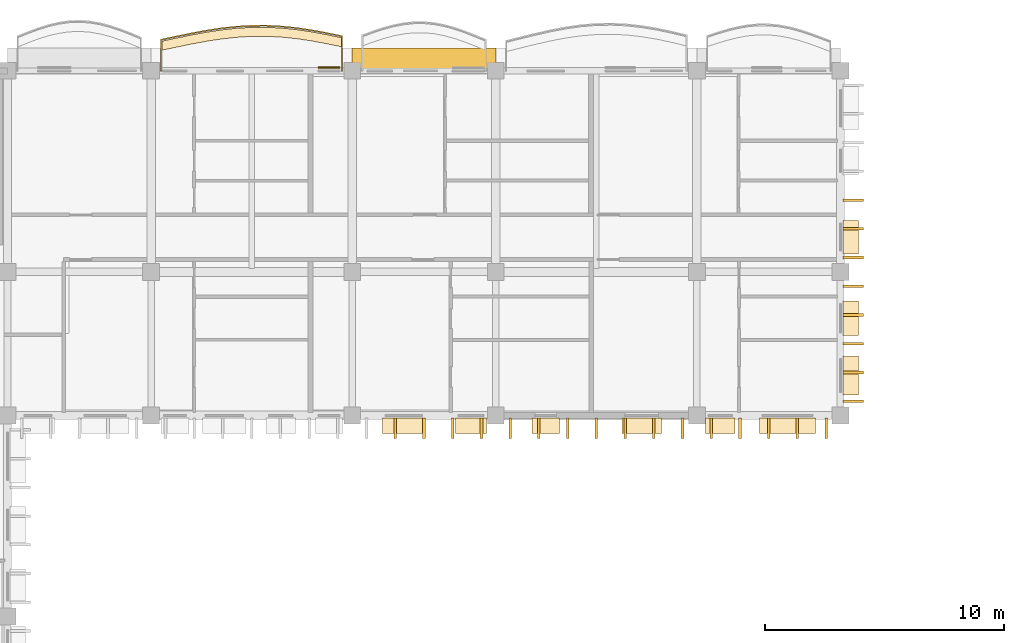
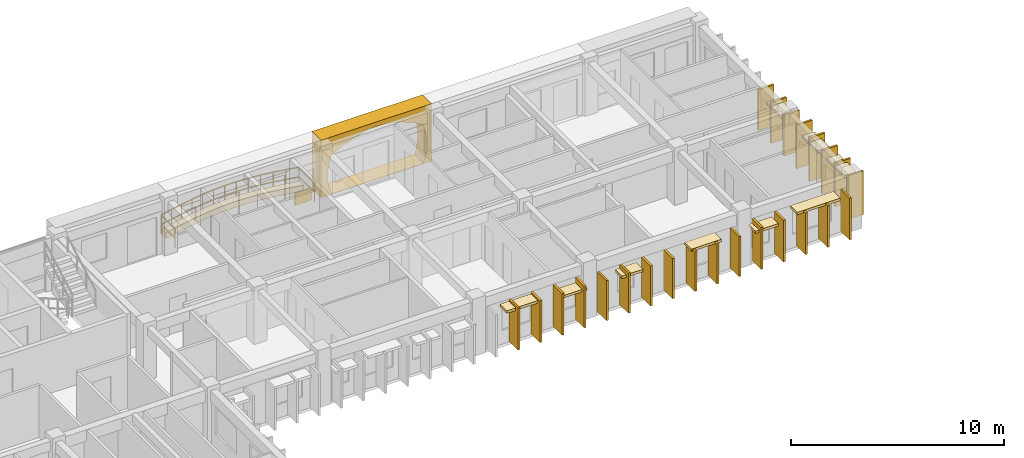
# One storey, part 82 of 101: 36 coverings, 1 railing.
"""IFC4 building model written with IfcOpenShell, lengths in metres."""

from ifc_helpers import new_model, si_unit, direction, frame, origin, origin_2d, place, context, subcontext, project, spatial, polyline, rectangle, outline, extrude, material, layer, layer_set, type_object, element, save


model = new_model("IFC4")

# Units and contexts
model_context = context("Model", 3, precision=1e-05, world=origin(), true_north=direction((0.0, 1.0)))
body_context = subcontext(model_context, "Body", "Model", "MODEL_VIEW")
ifc_project = project(units=[si_unit("LENGTHUNIT", "METRE"), si_unit("AREAUNIT", "SQUARE_METRE"), si_unit("VOLUMEUNIT", "CUBIC_METRE"), si_unit("PLANEANGLEUNIT", "RADIAN"), si_unit("MASSUNIT", "GRAM", prefix="KILO"), si_unit("THERMODYNAMICTEMPERATUREUNIT", "KELVIN")], contexts=[model_context])

# Site, building, storey
site_placement = place(None, origin())
site = spatial("IfcSite", under=ifc_project, at=site_placement, CompositionType="ELEMENT")
building_placement = place(site_placement, origin())
building = spatial("IfcBuilding", under=site, at=building_placement, Name="Thalorik Housing Commons", CompositionType="ELEMENT")
storey_placement = place(building_placement, frame((0.0, 0.0, 8.10009765625)))
storey = spatial("IfcBuildingStorey", under=building, at=storey_placement, Name="L02", CompositionType="ELEMENT", Elevation=8.10009765625)

# Coverings
ifc_material_1 = material(Name="Cobalt blue glazed ceramic facade tile panel", Category="masonry")
ifc_layer_1 = layer(ifc_material_1, 0.06005859375, Name="Cobalt blue glazed ceramic facade tile panel", Category="masonry")
ifc_layer_set_1 = layer_set([ifc_layer_1], Name="Cobalt blue glazed ceramic facade tile panel")
covering_type_1 = type_object("IfcCoveringType", Name="ARC-CLD-BLU-60", PredefinedType="CLADDING", material=ifc_layer_set_1)
covering_1_placement = place(storey_placement, frame((36.235107421875, 123.742431640625, 0.0498046875), z_axis=(0.0, 0.0, 1.0), x_axis=(-1.0, 0.0, 0.0)))
element("IfcCovering", 1, at=covering_1_placement, inside=storey, type_object=covering_type_1, Name="L02 De Stijl Recessed Window Spandrel 189", PredefinedType="CLADDING", context=body_context, shape_type="SweptSolid", body=[
    extrude(rectangle(XDim=0.89990234375, YDim=0.06005859375, at=origin_2d()), origin(), (0.0, 0.0, 1.0), 0.699951171875),
])
ifc_material_2 = material(Name="Precast concrete C40/50", Category="concrete")
ifc_layer_2 = layer(ifc_material_2, 0.85009765625, Name="Precast concrete C40/50", Category="concrete")
ifc_layer_set_2 = layer_set([ifc_layer_2], Name="Precast concrete C40/50")
covering_type_2 = type_object("IfcCoveringType", Name="ARC-CLD-CUSH-850", PredefinedType="CLADDING", material=ifc_layer_set_2)
covering_2_placement = place(storey_placement, frame((40.199951171875, 124.132568359375, 0.0), z_axis=(0.0, 0.0, 1.0), x_axis=(-1.0, 0.0, 0.0)))
element("IfcCovering", 2, at=covering_2_placement, inside=storey, type_object=covering_type_2, Name="L02 White Precast Curved Cushion Bay Frame 186", PredefinedType="CLADDING", context=body_context, shape_type="SweptSolid", body=[
    extrude(outline(polyline([(-3.0, 0.0), (3.0, 0.0), (3.0, 3.300048828125), (-3.0, 3.300048828125), (-3.0, 0.0)]), holes=[polyline([(2.42724609375, 0.02490234375), (2.548095703125, 0.394287109375), (2.62060546875, 0.76318359375), (2.64501953125, 1.132568359375), (2.62060546875, 1.501708984375), (2.548095703125, 1.870849609375), (2.42724609375, 2.239990234375), (2.01171875, 2.4833984375), (1.596435546875, 2.6748046875), (1.180908203125, 2.82958984375), (0.765380859375, 2.94482421875), (0.35009765625, 3.01611328125), (-0.065185546875, 3.0400390625), (-0.480712890625, 3.01611328125), (-0.89599609375, 2.94482421875), (-1.3115234375, 2.82958984375), (-1.72705078125, 2.6748046875), (-2.142333984375, 2.4833984375), (-2.557861328125, 2.239990234375), (-2.651123046875, 1.870849609375), (-2.707275390625, 1.501708984375), (-2.725830078125, 1.132568359375), (-2.707275390625, 0.76318359375), (-2.651123046875, 0.394287109375), (-2.557861328125, 0.02490234375), (2.42724609375, 0.02490234375)])]), frame((0.0, 0.425048828125, 0.0), z_axis=(0.0, -1.0, 0.0), x_axis=(1.0, 0.0, 0.0)), (0.0, 0.0, 1.0), 0.85009765625),
])
ifc_layer_3 = layer(ifc_material_2, 0.85009765625, Name="Precast concrete C40/50", Category="concrete")
ifc_layer_set_3 = layer_set([ifc_layer_3], Name="Precast concrete C40/50")
covering_type_3 = type_object("IfcCoveringType", Name="ARC-CLD-FIN-850", PredefinedType="CLADDING", material=ifc_layer_set_3)
for number, where, z_axis, x_axis, name in (
    (3, (39.0, 108.66748046875, 0.039794921875), (0.0, 0.0, 1.0), (1.0, 0.0, 0.0), "L02 Courtyard Precast Vertical Brise-Soleil Fin 143"),
    (4, (40.199951171875, 108.66748046875, 0.039794921875), (0.0, 0.0, 1.0), (1.0, 0.0, 0.0), "L02 Courtyard Precast Vertical Brise-Soleil Fin 144"),
    (5, (41.39990234375, 108.66748046875, 0.039794921875), (0.0, 0.0, 1.0), (1.0, 0.0, 0.0), "L02 Courtyard Precast Vertical Brise-Soleil Fin 145"),
    (6, (42.60009765625, 108.66748046875, 0.039794921875), (0.0, 0.0, 1.0), (1.0, 0.0, 0.0), "L02 Courtyard Precast Vertical Brise-Soleil Fin 146"),
):
    element("IfcCovering", number, at=place(storey_placement, frame(where, z_axis=z_axis, x_axis=x_axis)), inside=storey, type_object=covering_type_3, Name=name, PredefinedType="CLADDING", context=body_context, shape_type="SweptSolid", body=[
        extrude(rectangle(XDim=0.110107421875, YDim=0.85009765625, at=origin_2d()), origin(), (0.0, 0.0, 1.0), 2.39501953125),
    ])
for number, where, z_axis, x_axis, name in (
    (7, (43.800048828125, 108.66748046875, 0.0400390625), (0.0, 0.0, 1.0), (1.0, 0.0, 0.0), "L02 Courtyard Precast Vertical Brise-Soleil Fin 149"),
    (8, (45.0, 108.66748046875, 0.0400390625), (0.0, 0.0, 1.0), (1.0, 0.0, 0.0), "L02 Courtyard Precast Vertical Brise-Soleil Fin 150"),
    (9, (46.199951171875, 108.66748046875, 0.0400390625), (0.0, 0.0, 1.0), (1.0, 0.0, 0.0), "L02 Courtyard Precast Vertical Brise-Soleil Fin 151"),
    (10, (47.39990234375, 108.66748046875, 0.0400390625), (0.0, 0.0, 1.0), (1.0, 0.0, 0.0), "L02 Courtyard Precast Vertical Brise-Soleil Fin 152"),
    (11, (48.60009765625, 108.66748046875, 0.0400390625), (0.0, 0.0, 1.0), (1.0, 0.0, 0.0), "L02 Courtyard Precast Vertical Brise-Soleil Fin 153"),
    (12, (49.800048828125, 108.66748046875, 0.0400390625), (0.0, 0.0, 1.0), (1.0, 0.0, 0.0), "L02 Courtyard Precast Vertical Brise-Soleil Fin 154"),
    (13, (51.0, 108.66748046875, 0.0400390625), (0.0, 0.0, 1.0), (1.0, 0.0, 0.0), "L02 Courtyard Precast Vertical Brise-Soleil Fin 155"),
):
    element("IfcCovering", number, at=place(storey_placement, frame(where, z_axis=z_axis, x_axis=x_axis)), inside=storey, type_object=covering_type_3, Name=name, PredefinedType="CLADDING", context=body_context, shape_type="SweptSolid", body=[
        extrude(rectangle(XDim=0.110107421875, YDim=0.85009765625, at=origin_2d()), origin(), (0.0, 0.0, 1.0), 2.294921875),
    ])
for number, where, z_axis, x_axis, name in (
    (14, (52.199951171875, 108.66748046875, 0.039794921875), (0.0, 0.0, 1.0), (1.0, 0.0, 0.0), "L02 Courtyard Precast Vertical Brise-Soleil Fin 158"),
    (15, (53.39990234375, 108.66748046875, 0.039794921875), (0.0, 0.0, 1.0), (1.0, 0.0, 0.0), "L02 Courtyard Precast Vertical Brise-Soleil Fin 159"),
    (16, (54.60009765625, 108.66748046875, 0.039794921875), (0.0, 0.0, 1.0), (1.0, 0.0, 0.0), "L02 Courtyard Precast Vertical Brise-Soleil Fin 160"),
    (17, (55.800048828125, 108.66748046875, 0.039794921875), (0.0, 0.0, 1.0), (1.0, 0.0, 0.0), "L02 Courtyard Precast Vertical Brise-Soleil Fin 161"),
    (18, (57.0, 108.66748046875, 0.039794921875), (0.0, 0.0, 1.0), (1.0, 0.0, 0.0), "L02 Courtyard Precast Vertical Brise-Soleil Fin 162"),
):
    element("IfcCovering", number, at=place(storey_placement, frame(where, z_axis=z_axis, x_axis=x_axis)), inside=storey, type_object=covering_type_3, Name=name, PredefinedType="CLADDING", context=body_context, shape_type="SweptSolid", body=[
        extrude(rectangle(XDim=0.110107421875, YDim=0.85009765625, at=origin_2d()), origin(), (0.0, 0.0, 1.0), 2.39501953125),
    ])
for number, where, z_axis, x_axis, name in (
    (19, (58.132568359375, 109.800048828125, 0.039794921875), (0.0, 0.0, 1.0), (0.0, 1.0, 0.0), "L02 Courtyard Precast Vertical Brise-Soleil Fin 165"),
    (20, (58.132568359375, 111.0, 0.039794921875), (0.0, 0.0, 1.0), (0.0, 1.0, 0.0), "L02 Courtyard Precast Vertical Brise-Soleil Fin 166"),
    (21, (58.132568359375, 112.199951171875, 0.039794921875), (0.0, 0.0, 1.0), (0.0, 1.0, 0.0), "L02 Courtyard Precast Vertical Brise-Soleil Fin 167"),
    (22, (58.132568359375, 113.39990234375, 0.039794921875), (0.0, 0.0, 1.0), (0.0, 1.0, 0.0), "L02 Courtyard Precast Vertical Brise-Soleil Fin 168"),
    (23, (58.132568359375, 114.60009765625, 0.039794921875), (0.0, 0.0, 1.0), (0.0, 1.0, 0.0), "L02 Courtyard Precast Vertical Brise-Soleil Fin 169"),
):
    element("IfcCovering", number, at=place(storey_placement, frame(where, z_axis=z_axis, x_axis=x_axis)), inside=storey, type_object=covering_type_3, Name=name, PredefinedType="CLADDING", context=body_context, shape_type="SweptSolid", body=[
        extrude(rectangle(XDim=0.110107421875, YDim=0.85009765625, at=origin_2d()), origin(), (0.0, 0.0, 1.0), 2.4951171875),
    ])
for number, where, z_axis, x_axis, name in (
    (24, (58.132568359375, 115.800048828125, 0.0400390625), (0.0, 0.0, 1.0), (0.0, 1.0, 0.0), "L02 Courtyard Precast Vertical Brise-Soleil Fin 172"),
    (25, (58.132568359375, 117.0, 0.0400390625), (0.0, 0.0, 1.0), (0.0, 1.0, 0.0), "L02 Courtyard Precast Vertical Brise-Soleil Fin 173"),
    (26, (58.132568359375, 118.199951171875, 0.0400390625), (0.0, 0.0, 1.0), (0.0, 1.0, 0.0), "L02 Courtyard Precast Vertical Brise-Soleil Fin 174"),
):
    element("IfcCovering", number, at=place(storey_placement, frame(where, z_axis=z_axis, x_axis=x_axis)), inside=storey, type_object=covering_type_3, Name=name, PredefinedType="CLADDING", context=body_context, shape_type="SweptSolid", body=[
        extrude(rectangle(XDim=0.110107421875, YDim=0.85009765625, at=origin_2d()), origin(), (0.0, 0.0, 1.0), 2.344970703125),
    ])
ifc_layer_4 = layer(ifc_material_2, 0.64990234375, Name="Precast concrete C40/50", Category="concrete")
ifc_layer_set_4 = layer_set([ifc_layer_4], Name="Precast concrete C40/50")
covering_type_4 = type_object("IfcCoveringType", Name="ARC-CLD-HOOD-650", PredefinedType="CLADDING", material=ifc_layer_set_4)
covering_3_placement = place(storey_placement, frame((39.35498046875, 108.767578125, 2.18994140625), z_axis=(0.0, 0.0, 1.0), x_axis=(1.0, 0.0, 0.0)))
element("IfcCovering", 27, at=covering_3_placement, inside=storey, type_object=covering_type_4, Name="L02 Courtyard Precast Window Sun-Hood 147", PredefinedType="CLADDING", context=body_context, shape_type="SweptSolid", body=[
    extrude(rectangle(XDim=1.7900390625, YDim=0.64990234375, at=origin_2d()), origin(), (0.0, 0.0, 1.0), 0.139892578125),
])
covering_4_placement = place(storey_placement, frame((42.1650390625, 108.767578125, 1.98974609375), z_axis=(0.0, 0.0, 1.0), x_axis=(1.0, 0.0, 0.0)))
element("IfcCovering", 28, at=covering_4_placement, inside=storey, type_object=covering_type_4, Name="L02 Courtyard Precast Window Sun-Hood 148", PredefinedType="CLADDING", context=body_context, shape_type="SweptSolid", body=[
    extrude(rectangle(XDim=1.2900390625, YDim=0.64990234375, at=origin_2d()), origin(), (0.0, 0.0, 1.0), 0.139892578125),
])
covering_5_placement = place(storey_placement, frame((45.284912109375, 108.767578125, 1.98974609375), z_axis=(0.0, 0.0, 1.0), x_axis=(1.0, 0.0, 0.0)))
element("IfcCovering", 29, at=covering_5_placement, inside=storey, type_object=covering_type_4, Name="L02 Courtyard Precast Window Sun-Hood 156", PredefinedType="CLADDING", context=body_context, shape_type="SweptSolid", body=[
    extrude(rectangle(XDim=1.139892578125, YDim=0.64990234375, at=origin_2d()), origin(), (0.0, 0.0, 1.0), 0.139892578125),
])
covering_6_placement = place(storey_placement, frame((49.294921875, 108.767578125, 2.22509765625), z_axis=(0.0, 0.0, 1.0), x_axis=(1.0, 0.0, 0.0)))
element("IfcCovering", 30, at=covering_6_placement, inside=storey, type_object=covering_type_4, Name="L02 Courtyard Precast Window Sun-Hood 157", PredefinedType="CLADDING", context=body_context, shape_type="SweptSolid", body=[
    extrude(rectangle(XDim=1.639892578125, YDim=0.64990234375, at=origin_2d()), origin(), (0.0, 0.0, 1.0), 0.139892578125),
])
covering_7_placement = place(storey_placement, frame((52.574951171875, 108.767578125, 2.0400390625), z_axis=(0.0, 0.0, 1.0), x_axis=(1.0, 0.0, 0.0)))
element("IfcCovering", 31, at=covering_7_placement, inside=storey, type_object=covering_type_4, Name="L02 Courtyard Precast Window Sun-Hood 163", PredefinedType="CLADDING", context=body_context, shape_type="SweptSolid", body=[
    extrude(rectangle(XDim=1.239990234375, YDim=0.64990234375, at=origin_2d()), origin(), (0.0, 0.0, 1.0), 0.139892578125),
])
covering_8_placement = place(storey_placement, frame((55.385009765625, 108.767578125, 2.3251953125), z_axis=(0.0, 0.0, 1.0), x_axis=(1.0, 0.0, 0.0)))
element("IfcCovering", 32, at=covering_8_placement, inside=storey, type_object=covering_type_4, Name="L02 Courtyard Precast Window Sun-Hood 164", PredefinedType="CLADDING", context=body_context, shape_type="SweptSolid", body=[
    extrude(rectangle(XDim=2.340087890625, YDim=0.64990234375, at=origin_2d()), origin(), (0.0, 0.0, 1.0), 0.139892578125),
])
covering_9_placement = place(storey_placement, frame((58.032470703125, 110.87548828125, 2.23974609375), z_axis=(0.0, 0.0, 1.0), x_axis=(0.0, 1.0, 0.0)))
element("IfcCovering", 33, at=covering_9_placement, inside=storey, type_object=covering_type_4, Name="L02 Courtyard Precast Window Sun-Hood 170", PredefinedType="CLADDING", context=body_context, shape_type="SweptSolid", body=[
    extrude(rectangle(XDim=1.639892578125, YDim=0.64990234375, at=origin_2d()), origin(), (0.0, 0.0, 1.0), 0.139892578125),
])
covering_10_placement = place(storey_placement, frame((58.032470703125, 113.26513671875, 2.14013671875), z_axis=(0.0, 0.0, 1.0), x_axis=(0.0, 1.0, 0.0)))
element("IfcCovering", 34, at=covering_10_placement, inside=storey, type_object=covering_type_4, Name="L02 Courtyard Precast Window Sun-Hood 171", PredefinedType="CLADDING", context=body_context, shape_type="SweptSolid", body=[
    extrude(rectangle(XDim=1.43994140625, YDim=0.64990234375, at=origin_2d()), origin(), (0.0, 0.0, 1.0), 0.139892578125),
])
covering_11_placement = place(storey_placement, frame((58.032470703125, 116.64990234375, 2.0400390625), z_axis=(0.0, 0.0, 1.0), x_axis=(0.0, 1.0, 0.0)))
element("IfcCovering", 35, at=covering_11_placement, inside=storey, type_object=covering_type_4, Name="L02 Courtyard Precast Window Sun-Hood 179", PredefinedType="CLADDING", context=body_context, shape_type="SweptSolid", body=[
    extrude(rectangle(XDim=1.389892578125, YDim=0.64990234375, at=origin_2d()), origin(), (0.0, 0.0, 1.0), 0.139892578125),
])
ifc_material_3 = material(Name="Planted vegetated substrate and terracotta trough", Category="masonry")
ifc_layer_5 = layer(ifc_material_3, 0.340087890625, Name="Planted vegetated substrate and terracotta trough", Category="masonry")
ifc_layer_set_5 = layer_set([ifc_layer_5], Name="Planted vegetated substrate and terracotta trough")
covering_type_5 = type_object("IfcCoveringType", Name="ARC-COV-PLANTER", PredefinedType="USERDEFINED", material=ifc_layer_set_5)
covering_12_placement = place(storey_placement, origin())
element("IfcCovering", 36, at=covering_12_placement, inside=storey, type_object=covering_type_5, Name="L02 Balcony Slab-Edge Planted Trough 5318", ObjectType="PLANTER", PredefinedType="USERDEFINED", context=body_context, shape_type="SweptSolid", body=[
    extrude(outline(polyline([(36.780029296875, 124.978515625), (36.14990234375, 125.110107421875), (35.52001953125, 125.226806640625), (34.889892578125, 125.32080078125), (34.260009765625, 125.386474609375), (33.6298828125, 125.4189453125), (33.0, 125.41650390625), (32.3701171875, 125.379638671875), (31.739990234375, 125.310791015625), (31.110107421875, 125.214599609375), (30.47998046875, 125.09765625), (29.85009765625, 124.968017578125), (29.219970703125, 124.834228515625), (29.219970703125, 124.4541015625), (29.85009765625, 124.587890625), (30.47998046875, 124.717529296875), (31.110107421875, 124.83447265625), (31.739990234375, 124.9306640625), (32.3701171875, 124.99951171875), (33.0, 125.03662109375), (33.6298828125, 125.038818359375), (34.260009765625, 125.00634765625), (34.889892578125, 124.94091796875), (35.52001953125, 124.8466796875), (36.14990234375, 124.72998046875), (36.780029296875, 124.5986328125), (36.780029296875, 124.978515625)])), origin(), (0.0, 0.0, 1.0), 0.33984375),
])

# Railing
ifc_material_4 = material(Name="Steel S355", Category="steel")
railing_type = type_object("IfcRailingType", Name="ARC-RL-BAL-112", PredefinedType="BALUSTRADE", material=ifc_material_4)
railing_placement = place(storey_placement, frame((36.780029296875, 123.60009765625, 0.0)))
element("IfcRailing", 37, at=railing_placement, inside=storey, type_object=railing_type, Name="L02 Cushion Balcony Guardrail 2", PredefinedType="BALUSTRADE", context=body_context, shape_type="SweptSolid", body=[
    extrude(rectangle(XDim=0.050048828125, YDim=0.050048828125, at=origin_2d()), frame((0.0, 0.0, 1.09521484375), z_axis=(0.0, 1.0, 0.0), x_axis=(-1.0, 0.0, 0.0)), (0.0, 0.0, 1.0), 1.448486328125),
    extrude(rectangle(XDim=0.050048828125, YDim=0.050048828125, at=origin_2d()), frame((0.0, 0.0, 0.53515625), z_axis=(0.0, 1.0, 0.0), x_axis=(-1.0, 0.0, 0.0)), (0.0, 0.0, 1.0), 1.448486328125),
    extrude(rectangle(XDim=0.050048828125, YDim=0.050048828125, at=origin_2d()), frame((0.0, 1.448486328125, 1.09521484375), z_axis=(-0.978958325316, 0.204060278582, 0.0), x_axis=(-0.204060278582, -0.978958325316, 0.0)), (0.0, 0.0, 1.0), 0.6435546875),
    extrude(rectangle(XDim=0.050048828125, YDim=0.050048828125, at=origin_2d()), frame((0.0, 1.448486328125, 0.53515625), z_axis=(-0.978958325316, 0.204060278582, 0.0), x_axis=(-0.204060278582, -0.978958325316, 0.0)), (0.0, 0.0, 1.0), 0.6435546875),
    extrude(rectangle(XDim=0.050048828125, YDim=0.050048828125, at=origin_2d()), frame((-0.630126953125, 1.579833984375, 1.09521484375), z_axis=(-0.983266838, 0.182171142854, 0.0), x_axis=(-0.182171142854, -0.983266838, 0.0)), (0.0, 0.0, 1.0), 0.640625),
    extrude(rectangle(XDim=0.050048828125, YDim=0.050048828125, at=origin_2d()), frame((-0.630126953125, 1.579833984375, 0.53515625), z_axis=(-0.983266838, 0.182171142854, 0.0), x_axis=(-0.182171142854, -0.983266838, 0.0)), (0.0, 0.0, 1.0), 0.640625),
    extrude(rectangle(XDim=0.050048828125, YDim=0.050048828125, at=origin_2d()), frame((-1.260009765625, 1.696533203125, 1.09521484375), z_axis=(-0.989000903893, 0.147909472647, 0.0), x_axis=(-0.147909472647, -0.989000903893, 0.0)), (0.0, 0.0, 1.0), 0.63720703125),
    extrude(rectangle(XDim=0.050048828125, YDim=0.050048828125, at=origin_2d()), frame((-1.260009765625, 1.696533203125, 0.53515625), z_axis=(-0.989000903893, 0.147909472647, 0.0), x_axis=(-0.147909472647, -0.989000903893, 0.0)), (0.0, 0.0, 1.0), 0.63720703125),
    extrude(rectangle(XDim=0.050048828125, YDim=0.050048828125, at=origin_2d()), frame((-1.89013671875, 1.790771484375, 1.09521484375), z_axis=(-0.994648163406, 0.10332004178, 0.0), x_axis=(-0.10332004178, -0.994648163406, 0.0)), (0.0, 0.0, 1.0), 0.63330078125),
    extrude(rectangle(XDim=0.050048828125, YDim=0.050048828125, at=origin_2d()), frame((-1.89013671875, 1.790771484375, 0.53515625), z_axis=(-0.994648163406, 0.10332004178, 0.0), x_axis=(-0.10332004178, -0.994648163406, 0.0)), (0.0, 0.0, 1.0), 0.63330078125),
    extrude(rectangle(XDim=0.050048828125, YDim=0.050048828125, at=origin_2d()), frame((-2.52001953125, 1.856201171875, 1.09521484375), z_axis=(-0.998654986307, 0.05184803106, 0.0), x_axis=(-0.05184803106, -0.998654986307, 0.0)), (0.0, 0.0, 1.0), 0.630859375),
    extrude(rectangle(XDim=0.050048828125, YDim=0.050048828125, at=origin_2d()), frame((-2.52001953125, 1.856201171875, 0.53515625), z_axis=(-0.998654986307, 0.05184803106, 0.0), x_axis=(-0.05184803106, -0.998654986307, 0.0)), (0.0, 0.0, 1.0), 0.630859375),
    extrude(rectangle(XDim=0.050048828125, YDim=0.050048828125, at=origin_2d()), frame((-3.150146484375, 1.888916015625, 1.09521484375), z_axis=(-0.999992488517, -0.003875939878, 0.0), x_axis=(0.003875939878, -0.999992488517, 0.0)), (0.0, 0.0, 1.0), 0.6298828125),
    extrude(rectangle(XDim=0.050048828125, YDim=0.050048828125, at=origin_2d()), frame((-3.150146484375, 1.888916015625, 0.53515625), z_axis=(-0.999992488517, -0.003875939878, 0.0), x_axis=(0.003875939878, -0.999992488517, 0.0)), (0.0, 0.0, 1.0), 0.6298828125),
    extrude(rectangle(XDim=0.050048828125, YDim=0.050048828125, at=origin_2d()), frame((-3.780029296875, 1.886474609375, 1.09521484375), z_axis=(-0.998291674977, -0.058427148419, 0.0), x_axis=(0.058427148419, -0.998291674977, 0.0)), (0.0, 0.0, 1.0), 0.630859375),
    extrude(rectangle(XDim=0.050048828125, YDim=0.050048828125, at=origin_2d()), frame((-3.780029296875, 1.886474609375, 0.53515625), z_axis=(-0.998291674977, -0.058427148419, 0.0), x_axis=(0.058427148419, -0.998291674977, 0.0)), (0.0, 0.0, 1.0), 0.630859375),
    extrude(rectangle(XDim=0.050048828125, YDim=0.050048828125, at=origin_2d()), frame((-4.409912109375, 1.849609375, 1.09521484375), z_axis=(-0.994042387071, -0.108994186572, 0.0), x_axis=(0.108994186572, -0.994042387071, 0.0)), (0.0, 0.0, 1.0), 0.6337890625),
    extrude(rectangle(XDim=0.050048828125, YDim=0.050048828125, at=origin_2d()), frame((-4.409912109375, 1.849609375, 0.53515625), z_axis=(-0.994042387071, -0.108994186572, 0.0), x_axis=(0.108994186572, -0.994042387071, 0.0)), (0.0, 0.0, 1.0), 0.6337890625),
    extrude(rectangle(XDim=0.050048828125, YDim=0.050048828125, at=origin_2d()), frame((-5.0400390625, 1.780517578125, 1.09521484375), z_axis=(-0.988539414432, -0.150962995847, 0.0), x_axis=(0.150962995847, -0.988539414432, 0.0)), (0.0, 0.0, 1.0), 0.63720703125),
    extrude(rectangle(XDim=0.050048828125, YDim=0.050048828125, at=origin_2d()), frame((-5.0400390625, 1.780517578125, 0.53515625), z_axis=(-0.988539414432, -0.150962995847, 0.0), x_axis=(0.150962995847, -0.988539414432, 0.0)), (0.0, 0.0, 1.0), 0.63720703125),
    extrude(rectangle(XDim=0.050048828125, YDim=0.050048828125, at=origin_2d()), frame((-5.669921875, 1.684326171875, 1.09521484375), z_axis=(-0.983211198872, -0.182471198861, 0.0), x_axis=(0.182471198861, -0.983211198872, 0.0)), (0.0, 0.0, 1.0), 0.640869140625),
    extrude(rectangle(XDim=0.050048828125, YDim=0.050048828125, at=origin_2d()), frame((-5.669921875, 1.684326171875, 0.53515625), z_axis=(-0.983211198872, -0.182471198861, 0.0), x_axis=(0.182471198861, -0.983211198872, 0.0)), (0.0, 0.0, 1.0), 0.640869140625),
    extrude(rectangle(XDim=0.050048828125, YDim=0.050048828125, at=origin_2d()), frame((-6.300048828125, 1.5673828125, 1.09521484375), z_axis=(-0.979470273401, -0.201588649293, 0.0), x_axis=(0.201588649293, -0.979470273401, 0.0)), (0.0, 0.0, 1.0), 0.64306640625),
    extrude(rectangle(XDim=0.050048828125, YDim=0.050048828125, at=origin_2d()), frame((-6.300048828125, 1.5673828125, 0.53515625), z_axis=(-0.979470273401, -0.201588649293, 0.0), x_axis=(0.201588649293, -0.979470273401, 0.0)), (0.0, 0.0, 1.0), 0.64306640625),
    extrude(rectangle(XDim=0.050048828125, YDim=0.050048828125, at=origin_2d()), frame((-6.929931640625, 1.437744140625, 1.09521484375), z_axis=(-0.978271412584, -0.207328346642, 0.0), x_axis=(0.207328346642, -0.978271412584, 0.0)), (0.0, 0.0, 1.0), 0.64404296875),
    extrude(rectangle(XDim=0.050048828125, YDim=0.050048828125, at=origin_2d()), frame((-6.929931640625, 1.437744140625, 0.53515625), z_axis=(-0.978271412584, -0.207328346642, 0.0), x_axis=(0.207328346642, -0.978271412584, 0.0)), (0.0, 0.0, 1.0), 0.64404296875),
    extrude(rectangle(XDim=0.050048828125, YDim=0.050048828125, at=origin_2d()), frame((-7.56005859375, 1.30419921875, 1.09521484375), z_axis=(0.0, -1.0, 0.0), x_axis=(1.0, 0.0, 0.0)), (0.0, 0.0, 1.0), 1.30419921875),
    extrude(rectangle(XDim=0.050048828125, YDim=0.050048828125, at=origin_2d()), frame((-7.56005859375, 1.30419921875, 0.53515625), z_axis=(0.0, -1.0, 0.0), x_axis=(1.0, 0.0, 0.0)), (0.0, 0.0, 1.0), 1.30419921875),
    extrude(rectangle(XDim=0.0419921875, YDim=0.0419921875, at=origin_2d()), origin(), (0.0, 0.0, 1.0), 1.070068359375),
    extrude(rectangle(XDim=0.0419921875, YDim=0.0419921875, at=origin_2d()), frame((0.0, 1.448486328125, 0.0)), (0.0, 0.0, 1.0), 1.070068359375),
    extrude(rectangle(XDim=0.0419921875, YDim=0.0419921875, at=origin_2d()), frame((-0.630126953125, 1.579833984375, 0.0)), (0.0, 0.0, 1.0), 1.070068359375),
    extrude(rectangle(XDim=0.0419921875, YDim=0.0419921875, at=origin_2d()), frame((-1.260009765625, 1.696533203125, 0.0)), (0.0, 0.0, 1.0), 1.070068359375),
    extrude(rectangle(XDim=0.0419921875, YDim=0.0419921875, at=origin_2d()), frame((-1.89013671875, 1.790771484375, 0.0)), (0.0, 0.0, 1.0), 1.070068359375),
    extrude(rectangle(XDim=0.0419921875, YDim=0.0419921875, at=origin_2d()), frame((-2.52001953125, 1.856201171875, 0.0)), (0.0, 0.0, 1.0), 1.070068359375),
    extrude(rectangle(XDim=0.0419921875, YDim=0.0419921875, at=origin_2d()), frame((-3.150146484375, 1.888916015625, 0.0)), (0.0, 0.0, 1.0), 1.070068359375),
    extrude(rectangle(XDim=0.0419921875, YDim=0.0419921875, at=origin_2d()), frame((-3.780029296875, 1.886474609375, 0.0)), (0.0, 0.0, 1.0), 1.070068359375),
    extrude(rectangle(XDim=0.0419921875, YDim=0.0419921875, at=origin_2d()), frame((-4.409912109375, 1.849609375, 0.0)), (0.0, 0.0, 1.0), 1.070068359375),
    extrude(rectangle(XDim=0.0419921875, YDim=0.0419921875, at=origin_2d()), frame((-5.0400390625, 1.780517578125, 0.0)), (0.0, 0.0, 1.0), 1.070068359375),
    extrude(rectangle(XDim=0.0419921875, YDim=0.0419921875, at=origin_2d()), frame((-5.669921875, 1.684326171875, 0.0)), (0.0, 0.0, 1.0), 1.070068359375),
    extrude(rectangle(XDim=0.0419921875, YDim=0.0419921875, at=origin_2d()), frame((-6.300048828125, 1.5673828125, 0.0)), (0.0, 0.0, 1.0), 1.070068359375),
    extrude(rectangle(XDim=0.0419921875, YDim=0.0419921875, at=origin_2d()), frame((-6.929931640625, 1.437744140625, 0.0)), (0.0, 0.0, 1.0), 1.070068359375),
    extrude(rectangle(XDim=0.0419921875, YDim=0.0419921875, at=origin_2d()), frame((-7.56005859375, 1.30419921875, 0.0)), (0.0, 0.0, 1.0), 1.070068359375),
    extrude(rectangle(XDim=0.0419921875, YDim=0.0419921875, at=origin_2d()), frame((-7.56005859375, 0.0, 0.0)), (0.0, 0.0, 1.0), 1.070068359375),
])

save(model, "model.ifc")
